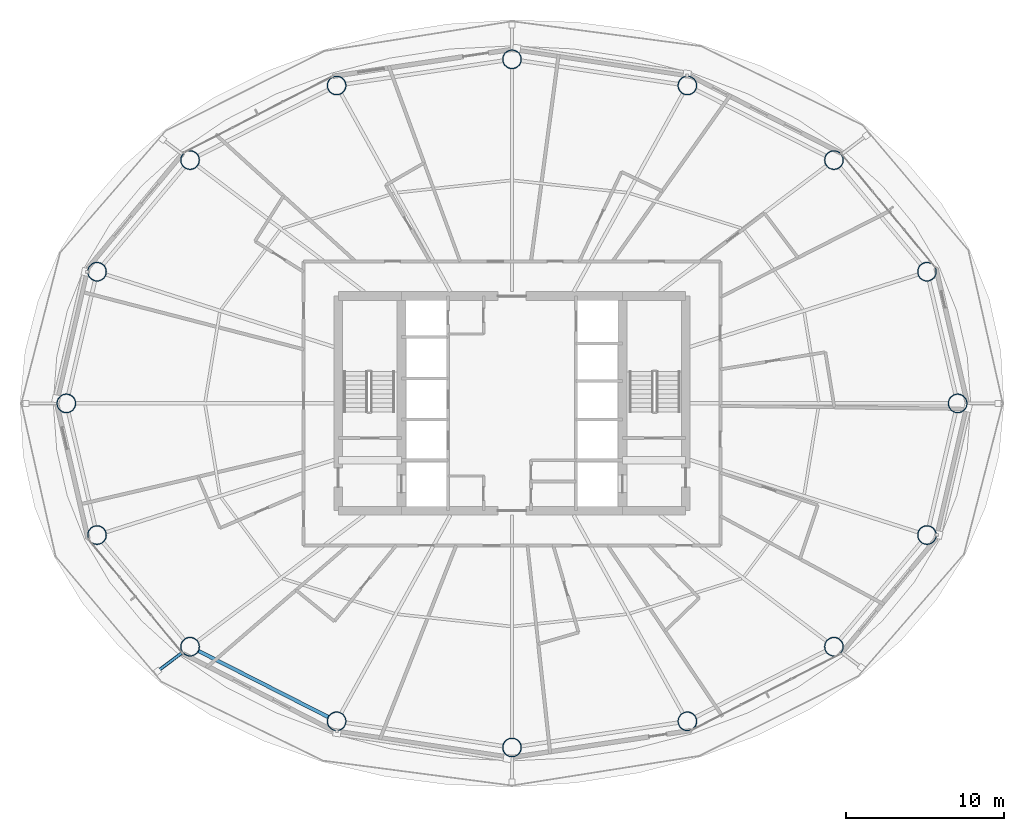
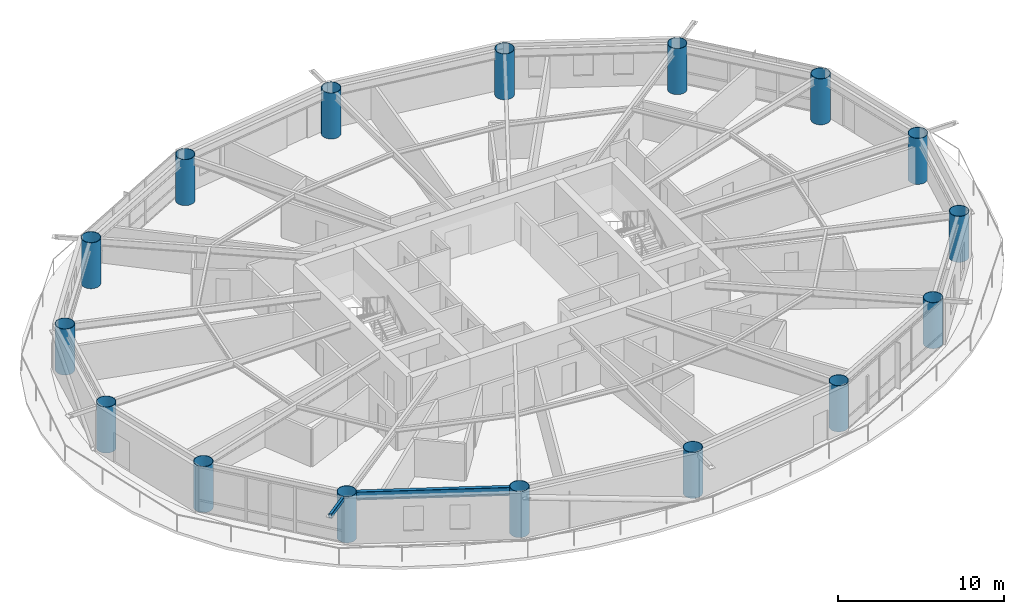
# One storey, part 1 of 24: 16 columns, 1 beam, 1 member.
"""IFC4 building model written with IfcOpenShell, lengths in metres."""

from ifc_helpers import new_model, si_unit, direction, frame, origin, origin_2d, place, context, subcontext, project, spatial, hollow_rectangle, hollow_circle, i_section, extrude, material, material_profile, profile_set, type_object, element, save


model = new_model("IFC4")

# Units and contexts
model_context = context("Model", 3, precision=1e-05, world=origin(), true_north=direction((0.0, 1.0)))
body_context = subcontext(model_context, "Body", "Model", "MODEL_VIEW")
ifc_project = project(units=[si_unit("LENGTHUNIT", "METRE"), si_unit("AREAUNIT", "SQUARE_METRE"), si_unit("VOLUMEUNIT", "CUBIC_METRE"), si_unit("PLANEANGLEUNIT", "RADIAN"), si_unit("MASSUNIT", "GRAM", prefix="KILO")], contexts=[model_context])

# Site, building, storey
site_placement = place(None, origin())
site = spatial("IfcSite", under=ifc_project, at=site_placement, CompositionType="ELEMENT")
building_placement = place(site_placement, origin())
building = spatial("IfcBuilding", under=site, at=building_placement, Name="Sarneth Arch Tower", CompositionType="ELEMENT")
storey_placement = place(building_placement, frame((0.0, 0.0, 109.199951171875)))
storey = spatial("IfcBuildingStorey", under=building, at=storey_placement, Name="L27", CompositionType="ELEMENT", Elevation=109.199951171875)

# Columns
ifc_material_1 = material(Name="Steel S355", Category="steel")
ifc_material_profile_1 = material_profile(ifc_material_1, hollow_circle(Radius=0.60009765625, WallThickness=0.031982421875, at=origin_2d()), Name="CHS1200x32")
ifc_profile_set_1 = profile_set([ifc_material_profile_1], Name="Steel S355")
column_type = type_object("IfcColumnType", Name="COL-MEGA-1200", PredefinedType="COLUMN", material=ifc_profile_set_1)
for number, where, z_axis, x_axis, name in (
    (1, (76.236572265625, 42.0, 0.0), (0.0, 0.0, 1.0), (1.0, 0.0, 0.0), "L27 Perimeter mega-column M01"),
    (2, (74.291259765625, 50.342529296875, 0.0), (0.0, 0.0, 1.0), (1.0, 0.0, 0.0), "L27 Perimeter mega-column M02"),
    (3, (68.397705078125, 57.4150390625, 0.0), (0.0, 0.0, 1.0), (1.0, 0.0, 0.0), "L27 Perimeter mega-column M03"),
    (4, (59.1103515625, 62.140625, 0.0), (0.0, 0.0, 1.0), (1.0, 0.0, 0.0), "L27 Perimeter mega-column M04"),
    (5, (48.0, 63.800048828125, 0.0), (0.0, 0.0, 1.0), (1.0, 0.0, 0.0), "L27 Perimeter mega-column M05"),
    (6, (36.8896484375, 62.140625, 0.0), (0.0, 0.0, 1.0), (1.0, 0.0, 0.0), "L27 Perimeter mega-column M06"),
    (7, (27.602294921875, 57.4150390625, 0.0), (0.0, 0.0, 1.0), (1.0, 0.0, 0.0), "L27 Perimeter mega-column M07"),
    (8, (21.708740234375, 50.342529296875, 0.0), (0.0, 0.0, 1.0), (1.0, 0.0, 0.0), "L27 Perimeter mega-column M08"),
    (9, (19.763427734375, 42.0, 0.0), (0.0, 0.0, 1.0), (1.0, 0.0, 0.0), "L27 Perimeter mega-column M09"),
    (10, (21.708740234375, 33.657470703125, 0.0), (0.0, 0.0, 1.0), (1.0, 0.0, 0.0), "L27 Perimeter mega-column M10"),
    (11, (27.602294921875, 26.5849609375, 0.0), (0.0, 0.0, 1.0), (1.0, 0.0, 0.0), "L27 Perimeter mega-column M11"),
    (12, (36.8896484375, 21.859375, 0.0), (0.0, 0.0, 1.0), (1.0, 0.0, 0.0), "L27 Perimeter mega-column M12"),
    (13, (48.0, 20.199951171875, 0.0), (0.0, 0.0, 1.0), (1.0, 0.0, 0.0), "L27 Perimeter mega-column M13"),
    (14, (59.1103515625, 21.859375, 0.0), (0.0, 0.0, 1.0), (1.0, 0.0, 0.0), "L27 Perimeter mega-column M14"),
    (15, (68.397705078125, 26.5849609375, 0.0), (0.0, 0.0, 1.0), (1.0, 0.0, 0.0), "L27 Perimeter mega-column M15"),
    (16, (74.291259765625, 33.657470703125, 0.0), (0.0, 0.0, 1.0), (1.0, 0.0, 0.0), "L27 Perimeter mega-column M16"),
):
    element("IfcColumn", number, at=place(storey_placement, frame(where, z_axis=z_axis, x_axis=x_axis)), inside=storey, type_object=column_type, Name=name, PredefinedType="COLUMN", context=body_context, shape_type="SweptSolid", body=[
        extrude(hollow_circle(Radius=0.60009765625, WallThickness=0.031982421875, at=origin_2d()), origin(), (0.0, 0.0, 1.0), 3.380126953125),
    ])

# Beam
ifc_material_2 = material(Name="Steel S355", Category="steel")
ifc_material_profile_2 = material_profile(ifc_material_2, i_section(OverallWidth=0.22900390625, OverallDepth=0.612060546875, WebThickness=0.011962890625, FlangeThickness=0.01953125, FilletRadius=0.01904296875, at=origin_2d()), Name="W610x125")
ifc_profile_set_2 = profile_set([ifc_material_profile_2], Name="Steel S355")
beam_type = type_object("IfcBeamType", Name="BM-SPAN-610C", PredefinedType="SPANDREL", material=ifc_profile_set_2)
beam_placement = place(storey_placement, frame((28.13720703125, 26.31298828125, 3.073974609375), z_axis=(0.891259443414, -0.453493775619, 0.0), x_axis=(0.453493775619, 0.891259443414, 0.0)))
element("IfcBeam", 17, at=beam_placement, inside=storey, type_object=beam_type, Name="L27 Perimeter spandrel beam 11", PredefinedType="SPANDREL", context=body_context, shape_type="SweptSolid", body=[
    extrude(i_section(OverallWidth=0.22900390625, OverallDepth=0.612060546875, WebThickness=0.011962890625, FlangeThickness=0.01953125, FilletRadius=0.01904296875, at=origin_2d()), origin(), (0.0, 0.0, 1.0), 9.220458984375),
])

# Member
ifc_material_3 = material(Name="Steel S355", Category="steel")
ifc_material_profile_3 = material_profile(ifc_material_3, hollow_rectangle(XDim=0.199951171875, YDim=0.300048828125, WallThickness=0.012451171875, InnerFilletRadius=0.018798828125, OuterFilletRadius=0.03125, at=origin_2d()), Name="RHS300x200x12.5")
ifc_profile_set_3 = profile_set([ifc_material_profile_3], Name="Steel S355")
member_type = type_object("IfcMemberType", Name="MEM-CANT-STRUT", PredefinedType="STRUT", material=ifc_profile_set_3)
member_placement = place(storey_placement, frame((27.123779296875, 26.223388671875, 3.219970703125), z_axis=(-0.797811767561, -0.60290661262, 0.0), x_axis=(0.60290661262, -0.797811767561, 0.0)))
element("IfcMember", 18, at=member_placement, inside=storey, type_object=member_type, Name="L27 Balcony cantilever bracket 11", PredefinedType="STRUT", context=body_context, shape_type="SweptSolid", body=[
    extrude(hollow_rectangle(XDim=0.199951171875, YDim=0.300048828125, WallThickness=0.012451171875, InnerFilletRadius=0.018798828125, OuterFilletRadius=0.03125, at=origin_2d()), origin(), (0.0, 0.0, 1.0), 1.972900390625),
])

save(model, "model.ifc")
